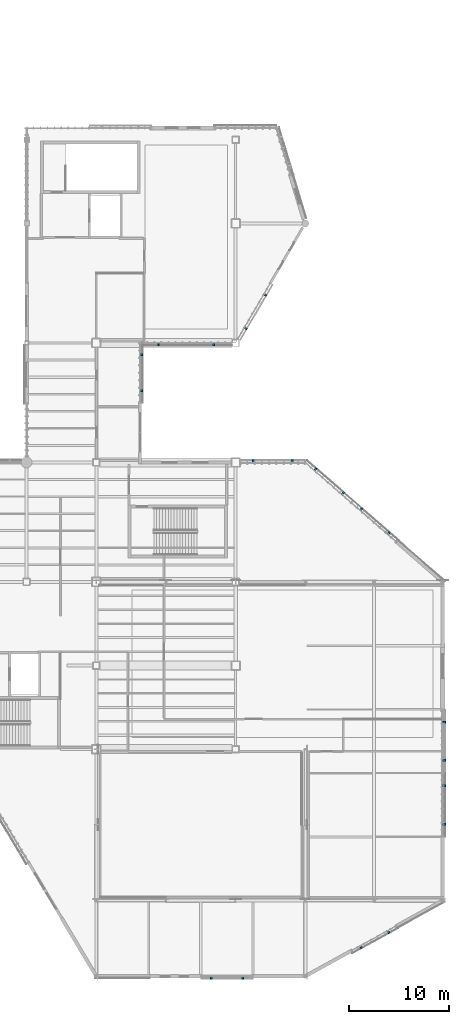
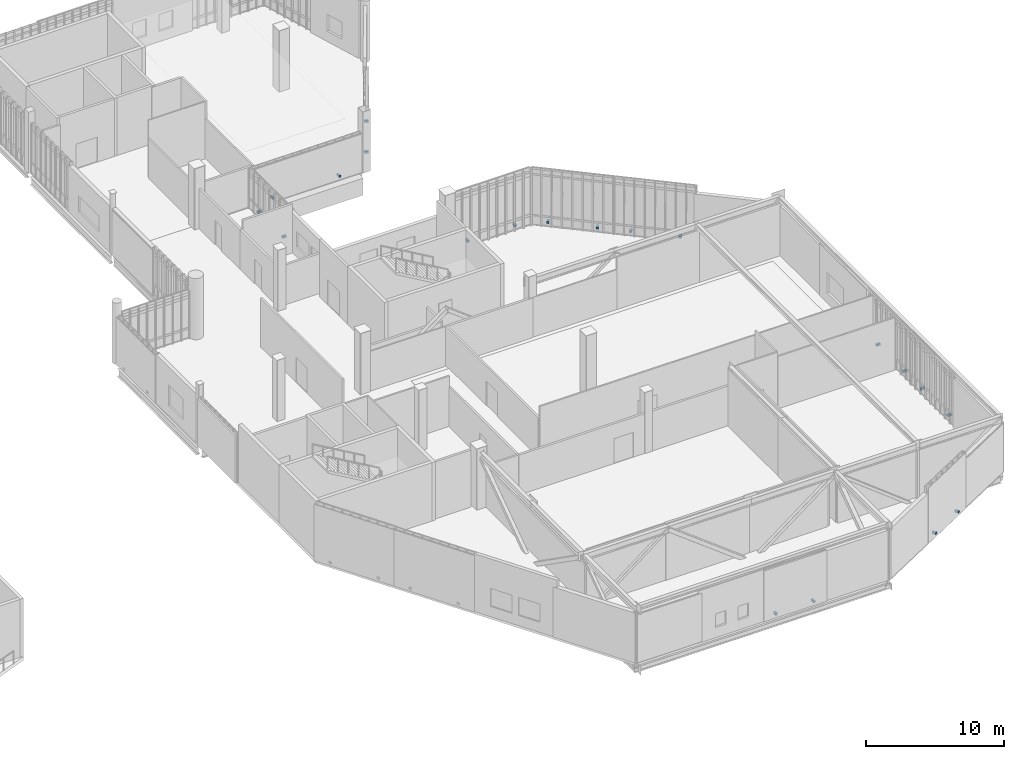
# One storey, part 127 of 135: 20 discrete accessories.
"""IFC4 building model written with IfcOpenShell, lengths in metres."""

from ifc_helpers import new_model, si_unit, direction, frame, origin, origin_2d, place, context, subcontext, project, spatial, rectangle, extrude, material, layer, layer_set, type_object, element, save


model = new_model("IFC4")

# Units and contexts
model_context = context("Model", 3, precision=1e-05, world=origin(), true_north=direction((0.0, 1.0)))
body_context = subcontext(model_context, "Body", "Model", "MODEL_VIEW")
ifc_project = project(units=[si_unit("LENGTHUNIT", "METRE"), si_unit("AREAUNIT", "SQUARE_METRE"), si_unit("VOLUMEUNIT", "CUBIC_METRE"), si_unit("PLANEANGLEUNIT", "RADIAN"), si_unit("MASSUNIT", "GRAM", prefix="KILO")], contexts=[model_context])

# Site, building, storey
site_placement = place(None, origin())
site = spatial("IfcSite", under=ifc_project, at=site_placement, CompositionType="ELEMENT")
building_placement = place(site_placement, origin())
building = spatial("IfcBuilding", under=site, at=building_placement, Name="Larkvane Passage Sports Hall", CompositionType="ELEMENT")
storey_placement = place(building_placement, frame((0.0, 0.0, 16.800048828125)))
storey = spatial("IfcBuildingStorey", under=building, at=storey_placement, Name="L03", CompositionType="ELEMENT", Elevation=16.800048828125)

# Discrete accessories
ifc_material = material(Name="Steel S355JR", Category="steel")
ifc_layer = layer(ifc_material, 0.179931640625)
ifc_layer_set = layer_set([ifc_layer], Name="Steel S355JR")
discrete_accessory_type = type_object("IfcDiscreteAccessoryType", Name="ACC-BRACKET-STL", PredefinedType="BRACKET", material=ifc_layer_set)
for number, where, z_axis, x_axis, name in (
    (1, (148.551513671875, 68.421630859375, 0.259765625), (0.0, 0.0, 1.0), (-0.503871025531, -0.863778900894, 0.0), "Veil outrigger bracket L03-075-1"),
    (2, (146.594970703125, 65.067626953125, 0.259765625), (0.0, 0.0, 1.0), (-0.503871025531, -0.863778900894, 0.0), "Veil outrigger bracket L03-075-2"),
    (3, (143.4033203125, 63.47998046875, 0.259765625), (0.0, 0.0, 1.0), (-1.0, 0.0, 0.0), "Veil outrigger bracket L03-076-1"),
    (4, (137.850830078125, 63.47998046875, 0.259765625), (0.0, 0.0, 1.0), (-1.0, 0.0, 0.0), "Veil outrigger bracket L03-076-2"),
    (5, (136.1201171875, 62.39990234375, 0.259765625), (0.0, 0.0, 1.0), (0.0, -1.0, 0.0), "Veil outrigger bracket L03-077-1"),
    (6, (136.1201171875, 58.800048828125, 0.259765625), (0.0, 0.0, 1.0), (0.0, -1.0, 0.0), "Veil outrigger bracket L03-077-2"),
    (7, (147.356689453125, 51.719970703125, 0.259765625), (0.0, 0.0, 1.0), (1.0, 0.0, 0.0), "Veil outrigger bracket L03-078-1"),
    (8, (151.289306640625, 51.719970703125, 0.259765625), (0.0, 0.0, 1.0), (1.0, 0.0, 0.0), "Veil outrigger bracket L03-078-2"),
    (9, (153.5986328125, 50.890625, 0.259765625), (0.0, 0.0, 1.0), (0.754605522159, -0.65617871493, 0.0), "Veil outrigger bracket L03-079-1"),
    (10, (156.358642578125, 48.490478515625, 0.259765625), (0.0, 0.0, 1.0), (0.754605522159, -0.65617871493, 0.0), "Veil outrigger bracket L03-079-2"),
    (11, (158.19873046875, 46.890625, 0.259765625), (0.0, 0.0, 1.0), (0.754605522159, -0.65617871493, 0.0), "Veil outrigger bracket L03-080-1"),
    (12, (160.958740234375, 44.490478515625, 0.259765625), (0.0, 0.0, 1.0), (0.754605522159, -0.65617871493, 0.0), "Veil outrigger bracket L03-080-2"),
    (13, (166.52001953125, 25.52001953125, 0.259765625), (0.0, 0.0, 1.0), (0.0, -1.0, 0.0), "Veil outrigger bracket L03-081-1"),
    (14, (166.52001953125, 21.679931640625, 0.259765625), (0.0, 0.0, 1.0), (0.0, -1.0, 0.0), "Veil outrigger bracket L03-081-2"),
    (15, (166.52001953125, 19.1201171875, 0.259765625), (0.0, 0.0, 1.0), (0.0, -1.0, 0.0), "Veil outrigger bracket L03-082-1"),
    (16, (166.52001953125, 15.280029296875, 0.259765625), (0.0, 0.0, 1.0), (0.0, -1.0, 0.0), "Veil outrigger bracket L03-082-2"),
    (17, (160.93798828125, 4.454833984375, 0.259765625), (0.0, 0.0, 1.0), (-0.875947742752, -0.482406003246, 0.0), "Veil outrigger bracket L03-083-1"),
    (18, (158.177978515625, 2.934814453125, 0.259765625), (0.0, 0.0, 1.0), (-0.875947742752, -0.482406003246, 0.0), "Veil outrigger bracket L03-083-2"),
    (19, (146.300048828125, -0.1201171875, 0.259765625), (0.0, 0.0, 1.0), (-1.0, 0.0, 0.0), "Veil outrigger bracket L03-084-1"),
    (20, (143.14990234375, -0.1201171875, 0.259765625), (0.0, 0.0, 1.0), (-1.0, 0.0, 0.0), "Veil outrigger bracket L03-084-2"),
):
    element("IfcDiscreteAccessory", number, at=place(storey_placement, frame(where, z_axis=z_axis, x_axis=x_axis)), inside=storey, type_object=discrete_accessory_type, Name=name, PredefinedType="BRACKET", context=body_context, shape_type="SweptSolid", body=[
        extrude(rectangle(XDim=0.179931640625, YDim=0.320068359375, at=origin_2d()), origin(), (0.0, 0.0, 1.0), 0.179931640625),
    ])

save(model, "model.ifc")
